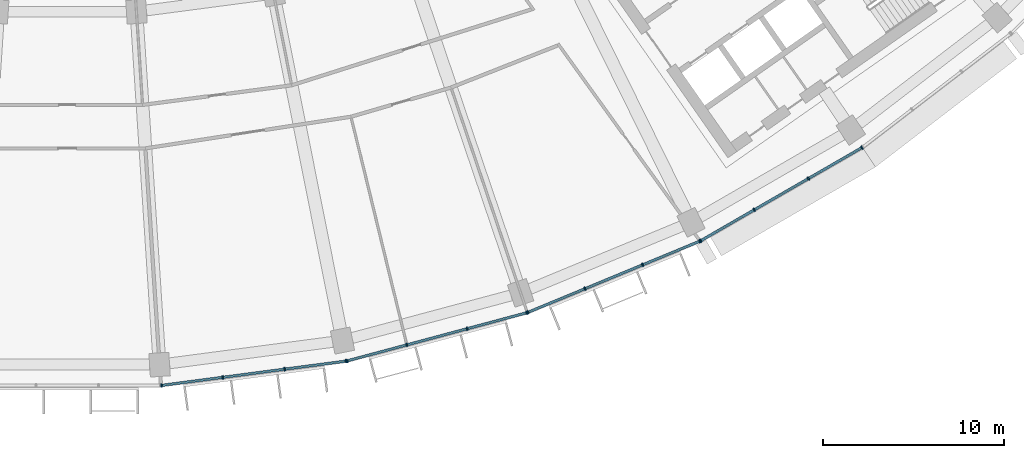
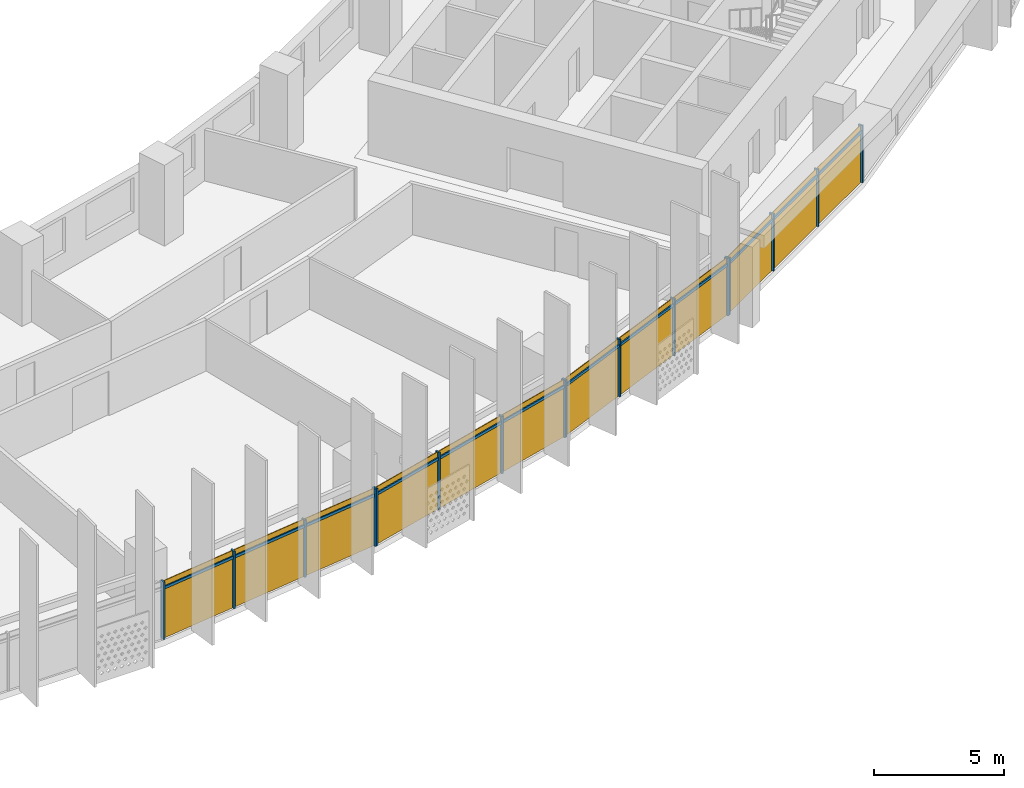
# One storey, part 19 of 27: 28 members, 4 curtain walls.
"""IFC4 building model written with IfcOpenShell, lengths in metres."""

from ifc_helpers import new_model, si_unit, direction, frame, origin, origin_2d, place, context, subcontext, project, spatial, rectangle, extrude, material, material_profile, profile_set, type_object, element, aggregate, save


model = new_model("IFC4")

# Units and contexts
model_context = context("Model", 3, precision=1e-05, world=origin(), true_north=direction((0.0, 1.0)))
body_context = subcontext(model_context, "Body", "Model", "MODEL_VIEW")
ifc_project = project(units=[si_unit("LENGTHUNIT", "METRE"), si_unit("AREAUNIT", "SQUARE_METRE"), si_unit("VOLUMEUNIT", "CUBIC_METRE"), si_unit("PLANEANGLEUNIT", "RADIAN"), si_unit("MASSUNIT", "GRAM", prefix="KILO")], contexts=[model_context])

# Member
ifc_material = material(Name="Aluminium 6063-T6 anodised", Category="aluminium")
ifc_material_profile_1 = material_profile(ifc_material, rectangle(XDim=0.199951171875, YDim=0.070068359375, at=origin_2d()))
ifc_profile_set_1 = profile_set([ifc_material_profile_1], Name="Aluminium 6063-T6 anodised")
member_type_1 = type_object("IfcMemberType", Name="Mullion 70 x 200 aluminium", PredefinedType="MULLION", material=ifc_profile_set_1)
site_placement = place(None, origin())
building_placement = place(site_placement, origin())
storey_placement = place(building_placement, frame((0.0, 0.0, 164.5)))
member_1_placement = place(storey_placement, frame((5.1884765625, -78.72705078125, 0.0), z_axis=(0.0, 0.0, 1.0), x_axis=(-0.13052619222, 0.991444861374, 0.0)))
member_1 = element("IfcMember", 1, at=member_1_placement, type_object=member_type_1, Name="e-cw1-L38-out08/M00", PredefinedType="MULLION", context=body_context, shape_type="SweptSolid", body=[
    extrude(rectangle(XDim=0.199951171875, YDim=0.070068359375, at=origin_2d()), origin(), (0.0, 0.0, 1.0), 2.699951171875),
])

member_2_placement = place(storey_placement, frame((8.56884765625, -78.2822265625, 0.0), z_axis=(0.0, 0.0, 1.0), x_axis=(-0.13052619222, 0.991444861374, 0.0)))
member_2 = element("IfcMember", 2, at=member_2_placement, type_object=member_type_1, Name="e-cw1-L38-out08/M01", PredefinedType="MULLION", context=body_context, shape_type="SweptSolid", body=[
    extrude(rectangle(XDim=0.199951171875, YDim=0.070068359375, at=origin_2d()), origin(), (0.0, 0.0, 1.0), 2.699951171875),
])

member_3_placement = place(storey_placement, frame((11.98388671875, -77.83251953125, 0.0), z_axis=(0.0, 0.0, 1.0), x_axis=(-0.13052619222, 0.991444861374, 0.0)))
member_3 = element("IfcMember", 3, at=member_3_placement, type_object=member_type_1, Name="e-cw1-L38-out08/M02", PredefinedType="MULLION", context=body_context, shape_type="SweptSolid", body=[
    extrude(rectangle(XDim=0.199951171875, YDim=0.070068359375, at=origin_2d()), origin(), (0.0, 0.0, 1.0), 2.699951171875),
])

member_4_placement = place(storey_placement, frame((15.364501953125, -77.387451171875, 0.0), z_axis=(0.0, 0.0, 1.0), x_axis=(-0.13052619222, 0.991444861374, 0.0)))
member_4 = element("IfcMember", 4, at=member_4_placement, type_object=member_type_1, Name="e-cw1-L38-out08/M03", PredefinedType="MULLION", context=body_context, shape_type="SweptSolid", body=[
    extrude(rectangle(XDim=0.199951171875, YDim=0.070068359375, at=origin_2d()), origin(), (0.0, 0.0, 1.0), 2.699951171875),
])

member_5_placement = place(storey_placement, frame((15.420166015625, -77.37646484375, 0.0), z_axis=(0.0, 0.0, 1.0), x_axis=(-0.258819045103, 0.965925826289, 0.0)))
member_5 = element("IfcMember", 5, at=member_5_placement, type_object=member_type_1, Name="e-cw1-L38-out09/M00", PredefinedType="MULLION", context=body_context, shape_type="SweptSolid", body=[
    extrude(rectangle(XDim=0.199951171875, YDim=0.070068359375, at=origin_2d()), origin(), (0.0, 0.0, 1.0), 2.699951171875),
])

member_6_placement = place(storey_placement, frame((18.71337890625, -76.493896484375, 0.0), z_axis=(0.0, 0.0, 1.0), x_axis=(-0.258819045103, 0.965925826289, 0.0)))
member_6 = element("IfcMember", 6, at=member_6_placement, type_object=member_type_1, Name="e-cw1-L38-out09/M01", PredefinedType="MULLION", context=body_context, shape_type="SweptSolid", body=[
    extrude(rectangle(XDim=0.199951171875, YDim=0.070068359375, at=origin_2d()), origin(), (0.0, 0.0, 1.0), 2.699951171875),
])

member_7_placement = place(storey_placement, frame((22.04052734375, -75.602294921875, 0.0), z_axis=(0.0, 0.0, 1.0), x_axis=(-0.258819045103, 0.965925826289, 0.0)))
member_7 = element("IfcMember", 7, at=member_7_placement, type_object=member_type_1, Name="e-cw1-L38-out09/M02", PredefinedType="MULLION", context=body_context, shape_type="SweptSolid", body=[
    extrude(rectangle(XDim=0.199951171875, YDim=0.070068359375, at=origin_2d()), origin(), (0.0, 0.0, 1.0), 2.699951171875),
])

member_8_placement = place(storey_placement, frame((25.333984375, -74.719970703125, 0.0), z_axis=(0.0, 0.0, 1.0), x_axis=(-0.258819045103, 0.965925826289, 0.0)))
member_8 = element("IfcMember", 8, at=member_8_placement, type_object=member_type_1, Name="e-cw1-L38-out09/M03", PredefinedType="MULLION", context=body_context, shape_type="SweptSolid", body=[
    extrude(rectangle(XDim=0.199951171875, YDim=0.070068359375, at=origin_2d()), origin(), (0.0, 0.0, 1.0), 2.699951171875),
])

member_9_placement = place(storey_placement, frame((25.3876953125, -74.70166015625, 0.0), z_axis=(0.0, 0.0, 1.0), x_axis=(-0.382683432365, 0.923879532511, 0.0)))
member_9 = element("IfcMember", 9, at=member_9_placement, type_object=member_type_1, Name="e-cw1-L38-out10/M00", PredefinedType="MULLION", context=body_context, shape_type="SweptSolid", body=[
    extrude(rectangle(XDim=0.199951171875, YDim=0.070068359375, at=origin_2d()), origin(), (0.0, 0.0, 1.0), 2.699951171875),
])

member_10_placement = place(storey_placement, frame((28.537841796875, -73.39697265625, 0.0), z_axis=(0.0, 0.0, 1.0), x_axis=(-0.382683432365, 0.923879532511, 0.0)))
member_10 = element("IfcMember", 10, at=member_10_placement, type_object=member_type_1, Name="e-cw1-L38-out10/M01", PredefinedType="MULLION", context=body_context, shape_type="SweptSolid", body=[
    extrude(rectangle(XDim=0.199951171875, YDim=0.070068359375, at=origin_2d()), origin(), (0.0, 0.0, 1.0), 2.699951171875),
])

member_11_placement = place(storey_placement, frame((31.72021484375, -72.078857421875, 0.0), z_axis=(0.0, 0.0, 1.0), x_axis=(-0.382683432365, 0.923879532511, 0.0)))
member_11 = element("IfcMember", 11, at=member_11_placement, type_object=member_type_1, Name="e-cw1-L38-out10/M02", PredefinedType="MULLION", context=body_context, shape_type="SweptSolid", body=[
    extrude(rectangle(XDim=0.199951171875, YDim=0.070068359375, at=origin_2d()), origin(), (0.0, 0.0, 1.0), 2.699951171875),
])

member_12_placement = place(storey_placement, frame((34.8701171875, -70.77392578125, 0.0), z_axis=(0.0, 0.0, 1.0), x_axis=(-0.382683432365, 0.923879532511, 0.0)))
member_12 = element("IfcMember", 12, at=member_12_placement, type_object=member_type_1, Name="e-cw1-L38-out10/M03", PredefinedType="MULLION", context=body_context, shape_type="SweptSolid", body=[
    extrude(rectangle(XDim=0.199951171875, YDim=0.070068359375, at=origin_2d()), origin(), (0.0, 0.0, 1.0), 2.699951171875),
])

member_13_placement = place(storey_placement, frame((34.921142578125, -70.748779296875, 0.0), z_axis=(0.0, 0.0, 1.0), x_axis=(-0.5, 0.866025403784, 0.0)))
member_13 = element("IfcMember", 13, at=member_13_placement, type_object=member_type_1, Name="e-cw1-L38-out11/M00", PredefinedType="MULLION", context=body_context, shape_type="SweptSolid", body=[
    extrude(rectangle(XDim=0.199951171875, YDim=0.070068359375, at=origin_2d()), origin(), (0.0, 0.0, 1.0), 2.699951171875),
])

member_14_placement = place(storey_placement, frame((37.873779296875, -69.0439453125, 0.0), z_axis=(0.0, 0.0, 1.0), x_axis=(-0.5, 0.866025403784, 0.0)))
member_14 = element("IfcMember", 14, at=member_14_placement, type_object=member_type_1, Name="e-cw1-L38-out11/M01", PredefinedType="MULLION", context=body_context, shape_type="SweptSolid", body=[
    extrude(rectangle(XDim=0.199951171875, YDim=0.070068359375, at=origin_2d()), origin(), (0.0, 0.0, 1.0), 2.699951171875),
])

member_15_placement = place(storey_placement, frame((40.85693359375, -67.32177734375, 0.0), z_axis=(0.0, 0.0, 1.0), x_axis=(-0.5, 0.866025403784, 0.0)))
member_15 = element("IfcMember", 15, at=member_15_placement, type_object=member_type_1, Name="e-cw1-L38-out11/M02", PredefinedType="MULLION", context=body_context, shape_type="SweptSolid", body=[
    extrude(rectangle(XDim=0.199951171875, YDim=0.070068359375, at=origin_2d()), origin(), (0.0, 0.0, 1.0), 2.699951171875),
])

member_16_placement = place(storey_placement, frame((43.809814453125, -65.616943359375, 0.0), z_axis=(0.0, 0.0, 1.0), x_axis=(-0.5, 0.866025403784, 0.0)))
member_16 = element("IfcMember", 16, at=member_16_placement, type_object=member_type_1, Name="e-cw1-L38-out11/M03", PredefinedType="MULLION", context=body_context, shape_type="SweptSolid", body=[
    extrude(rectangle(XDim=0.199951171875, YDim=0.070068359375, at=origin_2d()), origin(), (0.0, 0.0, 1.0), 2.699951171875),
])

ifc_material_profile_2 = material_profile(ifc_material, rectangle(XDim=0.139892578125, YDim=0.1201171875, at=origin_2d()))
ifc_profile_set_2 = profile_set([ifc_material_profile_2], Name="Aluminium 6063-T6 anodised")
member_type_2 = type_object("IfcMemberType", Name="Transom 120 x 140 aluminium", PredefinedType="USERDEFINED", material=ifc_profile_set_2)
member_17_placement = place(storey_placement, frame((5.22314453125, -78.72265625, 2.39990234375), z_axis=(0.991439857731, 0.130564193033, 0.0), x_axis=(-0.130564193033, 0.991439857731, 0.0)))
member_17 = element("IfcMember", 17, at=member_17_placement, type_object=member_type_2, Name="e-cw1-L38-out08/T00", ObjectType="TRANSOM", PredefinedType="USERDEFINED", context=body_context, shape_type="SweptSolid", body=[
    extrude(rectangle(XDim=0.139892578125, YDim=0.1201171875, at=origin_2d()), origin(), (0.0, 0.0, 1.0), 3.339599609375),
])

member_18_placement = place(storey_placement, frame((8.603515625, -78.277587890625, 2.39990234375), z_axis=(0.991446413845, 0.130514399487, 0.0), x_axis=(-0.130514399487, 0.991446413845, 0.0)))
member_18 = element("IfcMember", 18, at=member_18_placement, type_object=member_type_2, Name="e-cw1-L38-out08/T01", ObjectType="TRANSOM", PredefinedType="USERDEFINED", context=body_context, shape_type="SweptSolid", body=[
    extrude(rectangle(XDim=0.139892578125, YDim=0.1201171875, at=origin_2d()), origin(), (0.0, 0.0, 1.0), 3.37451171875),
])

member_19_placement = place(storey_placement, frame((12.018798828125, -77.827880859375, 2.39990234375), z_axis=(0.991448073325, 0.130501792706, 0.0), x_axis=(-0.130501792706, 0.991448073325, 0.0)))
member_19 = element("IfcMember", 19, at=member_19_placement, type_object=member_type_2, Name="e-cw1-L38-out08/T02", ObjectType="TRANSOM", PredefinedType="USERDEFINED", context=body_context, shape_type="SweptSolid", body=[
    extrude(rectangle(XDim=0.139892578125, YDim=0.1201171875, at=origin_2d()), origin(), (0.0, 0.0, 1.0), 3.33935546875),
])

member_20_placement = place(storey_placement, frame((15.453857421875, -77.367431640625, 2.39990234375), z_axis=(0.96591509168, 0.258859103886, 0.0), x_axis=(-0.258859103886, 0.96591509168, 0.0)))
member_20 = element("IfcMember", 20, at=member_20_placement, type_object=member_type_2, Name="e-cw1-L38-out09/T00", ObjectType="TRANSOM", PredefinedType="USERDEFINED", context=body_context, shape_type="SweptSolid", body=[
    extrude(rectangle(XDim=0.139892578125, YDim=0.1201171875, at=origin_2d()), origin(), (0.0, 0.0, 1.0), 3.339599609375),
])

member_21_placement = place(storey_placement, frame((18.747314453125, -76.48486328125, 2.39990234375), z_axis=(0.965932873966, 0.258792741381, 0.0), x_axis=(-0.258792741381, 0.965932873966, 0.0)))
member_21 = element("IfcMember", 21, at=member_21_placement, type_object=member_type_2, Name="e-cw1-L38-out09/T01", ObjectType="TRANSOM", PredefinedType="USERDEFINED", context=body_context, shape_type="SweptSolid", body=[
    extrude(rectangle(XDim=0.139892578125, YDim=0.1201171875, at=origin_2d()), origin(), (0.0, 0.0, 1.0), 3.37451171875),
])

member_22_placement = place(storey_placement, frame((22.074462890625, -75.59326171875, 2.39990234375), z_axis=(0.965933368091, 0.258790897074, 0.0), x_axis=(-0.258790897074, 0.965933368091, 0.0)))
member_22 = element("IfcMember", 22, at=member_22_placement, type_object=member_type_2, Name="e-cw1-L38-out09/T02", ObjectType="TRANSOM", PredefinedType="USERDEFINED", context=body_context, shape_type="SweptSolid", body=[
    extrude(rectangle(XDim=0.139892578125, YDim=0.1201171875, at=origin_2d()), origin(), (0.0, 0.0, 1.0), 3.339599609375),
])

member_23_placement = place(storey_placement, frame((25.420166015625, -74.688232421875, 2.39990234375), z_axis=(0.923890305385, 0.382657423311, 0.0), x_axis=(-0.382657423311, 0.923890305385, 0.0)))
member_23 = element("IfcMember", 23, at=member_23_placement, type_object=member_type_2, Name="e-cw1-L38-out10/T00", ObjectType="TRANSOM", PredefinedType="USERDEFINED", context=body_context, shape_type="SweptSolid", body=[
    extrude(rectangle(XDim=0.139892578125, YDim=0.1201171875, at=origin_2d()), origin(), (0.0, 0.0, 1.0), 3.33935546875),
])

member_24_placement = place(storey_placement, frame((28.570068359375, -73.383544921875, 2.39990234375), z_axis=(0.923866926753, 0.382713863941, 0.0), x_axis=(-0.382713863941, 0.923866926753, 0.0)))
member_24 = element("IfcMember", 24, at=member_24_placement, type_object=member_type_2, Name="e-cw1-L38-out10/T01", ObjectType="TRANSOM", PredefinedType="USERDEFINED", context=body_context, shape_type="SweptSolid", body=[
    extrude(rectangle(XDim=0.139892578125, YDim=0.1201171875, at=origin_2d()), origin(), (0.0, 0.0, 1.0), 3.37451171875),
])

member_25_placement = place(storey_placement, frame((31.75244140625, -72.0654296875, 2.39990234375), z_axis=(0.923875164544, 0.382693977401, 0.0), x_axis=(-0.382693977401, 0.923875164544, 0.0)))
member_25 = element("IfcMember", 25, at=member_25_placement, type_object=member_type_2, Name="e-cw1-L38-out10/T02", ObjectType="TRANSOM", PredefinedType="USERDEFINED", context=body_context, shape_type="SweptSolid", body=[
    extrude(rectangle(XDim=0.139892578125, YDim=0.1201171875, at=origin_2d()), origin(), (0.0, 0.0, 1.0), 3.339599609375),
])

member_26_placement = place(storey_placement, frame((34.951416015625, -70.7314453125, 2.39990234375), z_axis=(0.866002968352, 0.500038857296, 0.0), x_axis=(-0.500038857296, 0.866002968352, 0.0)))
member_26 = element("IfcMember", 26, at=member_26_placement, type_object=member_type_2, Name="e-cw1-L38-out11/T00", ObjectType="TRANSOM", PredefinedType="USERDEFINED", context=body_context, shape_type="SweptSolid", body=[
    extrude(rectangle(XDim=0.139892578125, YDim=0.1201171875, at=origin_2d()), origin(), (0.0, 0.0, 1.0), 3.339599609375),
])

member_27_placement = place(storey_placement, frame((37.904296875, -69.026611328125, 2.39990234375), z_axis=(0.86602172966, 0.500006363716, 0.0), x_axis=(-0.500006363716, 0.86602172966, 0.0)))
member_27 = element("IfcMember", 27, at=member_27_placement, type_object=member_type_2, Name="e-cw1-L38-out11/T01", ObjectType="TRANSOM", PredefinedType="USERDEFINED", context=body_context, shape_type="SweptSolid", body=[
    extrude(rectangle(XDim=0.139892578125, YDim=0.1201171875, at=origin_2d()), origin(), (0.0, 0.0, 1.0), 3.37451171875),
])

member_28_placement = place(storey_placement, frame((40.88720703125, -67.30419921875, 2.39990234375), z_axis=(0.866052898888, 0.49995237406, 0.0), x_axis=(-0.49995237406, 0.866052898888, 0.0)))
member_28 = element("IfcMember", 28, at=member_28_placement, type_object=member_type_2, Name="e-cw1-L38-out11/T02", ObjectType="TRANSOM", PredefinedType="USERDEFINED", context=body_context, shape_type="SweptSolid", body=[
    extrude(rectangle(XDim=0.139892578125, YDim=0.1201171875, at=origin_2d()), origin(), (0.0, 0.0, 1.0), 3.339599609375),
])

# Site, building, storey
site = spatial("IfcSite", under=ifc_project, at=site_placement, CompositionType="ELEMENT")
building = spatial("IfcBuilding", under=site, at=building_placement, Name="Qamariyya Broadcast Tower", CompositionType="ELEMENT")
storey = spatial("IfcBuildingStorey", under=building, at=storey_placement, Name="L38", CompositionType="ELEMENT", Elevation=164.5)

# Curtain wall
curtain_wall_type = type_object("IfcCurtainWallType", Name="Unitised curtain wall, anodised aluminium", PredefinedType="NOTDEFINED", material=ifc_material)
curtain_wall_1_placement = place(storey_placement, origin())
curtain_wall_1 = element("IfcCurtainWall", 29, at=curtain_wall_1_placement, inside=storey, type_object=curtain_wall_type, Name="e-cw1-L38-out08", PredefinedType="NOTDEFINED", context=body_context, shape_type="SweptSolid", body=[
    extrude(rectangle(XDim=3.339599609375, YDim=0.031982421875, at=origin_2d()), frame((6.878662109375, -78.504638671875, 0.0), x_axis=(0.991444240905, 0.130530905064, 0.0)), (0.0, 0.0, 1.0), 2.340087890625),
    extrude(rectangle(XDim=3.339599609375, YDim=0.031982421875, at=origin_2d()), frame((6.878662109375, -78.504638671875, 2.4599609375), x_axis=(0.991444240905, 0.130530905064, 0.0)), (0.0, 0.0, 1.0), 0.239990234375),
    extrude(rectangle(XDim=3.37451171875, YDim=0.031982421875, at=origin_2d()), frame((10.2763671875, -78.05712890625, 0.0), x_axis=(0.991444240905, 0.130530905064, 0.0)), (0.0, 0.0, 1.0), 2.340087890625),
    extrude(rectangle(XDim=3.37451171875, YDim=0.031982421875, at=origin_2d()), frame((10.2763671875, -78.05712890625, 2.4599609375), x_axis=(0.991444240905, 0.130530905064, 0.0)), (0.0, 0.0, 1.0), 0.239990234375),
    extrude(rectangle(XDim=3.339599609375, YDim=0.031982421875, at=origin_2d()), frame((13.67431640625, -77.60986328125, 0.0), x_axis=(0.991444240905, 0.130530905064, 0.0)), (0.0, 0.0, 1.0), 2.340087890625),
    extrude(rectangle(XDim=3.339599609375, YDim=0.031982421875, at=origin_2d()), frame((13.67431640625, -77.60986328125, 2.4599609375), x_axis=(0.991444240905, 0.130530905064, 0.0)), (0.0, 0.0, 1.0), 0.239990234375),
])

aggregate(curtain_wall_1, [member_1, member_2, member_3, member_4, member_17, member_18, member_19])

curtain_wall_2_placement = place(storey_placement, origin())
curtain_wall_2 = element("IfcCurtainWall", 30, at=curtain_wall_2_placement, inside=storey, type_object=curtain_wall_type, Name="e-cw1-L38-out09", PredefinedType="NOTDEFINED", context=body_context, shape_type="SweptSolid", body=[
    extrude(rectangle(XDim=3.339599609375, YDim=0.031982421875, at=origin_2d()), frame((17.066650390625, -76.935302734375, 0.0), x_axis=(0.965926433062, 0.258816780584, 0.0)), (0.0, 0.0, 1.0), 2.340087890625),
    extrude(rectangle(XDim=3.339599609375, YDim=0.031982421875, at=origin_2d()), frame((17.066650390625, -76.935302734375, 2.4599609375), x_axis=(0.965926433062, 0.258816780584, 0.0)), (0.0, 0.0, 1.0), 0.239990234375),
    extrude(rectangle(XDim=3.37451171875, YDim=0.031982421875, at=origin_2d()), frame((20.376953125, -76.04833984375, 0.0), x_axis=(0.965926433062, 0.258816780584, 0.0)), (0.0, 0.0, 1.0), 2.340087890625),
    extrude(rectangle(XDim=3.37451171875, YDim=0.031982421875, at=origin_2d()), frame((20.376953125, -76.04833984375, 2.4599609375), x_axis=(0.965926433062, 0.258816780584, 0.0)), (0.0, 0.0, 1.0), 0.239990234375),
    extrude(rectangle(XDim=3.339599609375, YDim=0.031982421875, at=origin_2d()), frame((23.6875, -75.1611328125, 0.0), x_axis=(0.965926433062, 0.258816780584, 0.0)), (0.0, 0.0, 1.0), 2.340087890625),
    extrude(rectangle(XDim=3.339599609375, YDim=0.031982421875, at=origin_2d()), frame((23.6875, -75.1611328125, 2.4599609375), x_axis=(0.965926433062, 0.258816780584, 0.0)), (0.0, 0.0, 1.0), 0.239990234375),
])

aggregate(curtain_wall_2, [member_5, member_6, member_7, member_8, member_20, member_21, member_22])

curtain_wall_3_placement = place(storey_placement, origin())
curtain_wall_3 = element("IfcCurtainWall", 31, at=curtain_wall_3_placement, inside=storey, type_object=curtain_wall_type, Name="e-cw1-L38-out10", PredefinedType="NOTDEFINED", context=body_context, shape_type="SweptSolid", body=[
    extrude(rectangle(XDim=3.339599609375, YDim=0.031982421875, at=origin_2d()), frame((26.962890625, -74.04931640625, 0.0), x_axis=(0.923878040314, 0.382687034829, 0.0)), (0.0, 0.0, 1.0), 2.340087890625),
    extrude(rectangle(XDim=3.339599609375, YDim=0.031982421875, at=origin_2d()), frame((26.962890625, -74.04931640625, 2.4599609375), x_axis=(0.923878040314, 0.382687034829, 0.0)), (0.0, 0.0, 1.0), 0.239990234375),
    extrude(rectangle(XDim=3.37451171875, YDim=0.031982421875, at=origin_2d()), frame((30.12890625, -72.73779296875, 0.0), x_axis=(0.923878040314, 0.382687034829, 0.0)), (0.0, 0.0, 1.0), 2.340087890625),
    extrude(rectangle(XDim=3.37451171875, YDim=0.031982421875, at=origin_2d()), frame((30.12890625, -72.73779296875, 2.4599609375), x_axis=(0.923878040314, 0.382687034829, 0.0)), (0.0, 0.0, 1.0), 0.239990234375),
    extrude(rectangle(XDim=3.339599609375, YDim=0.031982421875, at=origin_2d()), frame((33.295166015625, -71.42626953125, 0.0), x_axis=(0.923878040314, 0.382687034829, 0.0)), (0.0, 0.0, 1.0), 2.340087890625),
    extrude(rectangle(XDim=3.339599609375, YDim=0.031982421875, at=origin_2d()), frame((33.295166015625, -71.42626953125, 2.4599609375), x_axis=(0.923878040314, 0.382687034829, 0.0)), (0.0, 0.0, 1.0), 0.239990234375),
])

aggregate(curtain_wall_3, [member_9, member_10, member_11, member_12, member_23, member_24, member_25])

curtain_wall_4_placement = place(storey_placement, origin())
curtain_wall_4 = element("IfcCurtainWall", 32, at=curtain_wall_4_placement, inside=storey, type_object=curtain_wall_type, Name="e-cw1-L38-out11", PredefinedType="NOTDEFINED", context=body_context, shape_type="SweptSolid", body=[
    extrude(rectangle(XDim=3.339599609375, YDim=0.031982421875, at=origin_2d()), frame((36.3974609375, -69.896484375, 0.0), x_axis=(0.866028999376, 0.499993772201, 0.0)), (0.0, 0.0, 1.0), 2.340087890625),
    extrude(rectangle(XDim=3.339599609375, YDim=0.031982421875, at=origin_2d()), frame((36.3974609375, -69.896484375, 2.4599609375), x_axis=(0.866028999376, 0.499993772201, 0.0)), (0.0, 0.0, 1.0), 0.239990234375),
    extrude(rectangle(XDim=3.37451171875, YDim=0.031982421875, at=origin_2d()), frame((39.365478515625, -68.18310546875, 0.0), x_axis=(0.866028999376, 0.499993772201, 0.0)), (0.0, 0.0, 1.0), 2.340087890625),
    extrude(rectangle(XDim=3.37451171875, YDim=0.031982421875, at=origin_2d()), frame((39.365478515625, -68.18310546875, 2.4599609375), x_axis=(0.866028999376, 0.499993772201, 0.0)), (0.0, 0.0, 1.0), 0.239990234375),
    extrude(rectangle(XDim=3.339599609375, YDim=0.031982421875, at=origin_2d()), frame((42.33349609375, -66.469482421875, 0.0), x_axis=(0.866028999376, 0.499993772201, 0.0)), (0.0, 0.0, 1.0), 2.340087890625),
    extrude(rectangle(XDim=3.339599609375, YDim=0.031982421875, at=origin_2d()), frame((42.33349609375, -66.469482421875, 2.4599609375), x_axis=(0.866028999376, 0.499993772201, 0.0)), (0.0, 0.0, 1.0), 0.239990234375),
])

aggregate(curtain_wall_4, [member_13, member_14, member_15, member_16, member_26, member_27, member_28])

save(model, "model.ifc")
